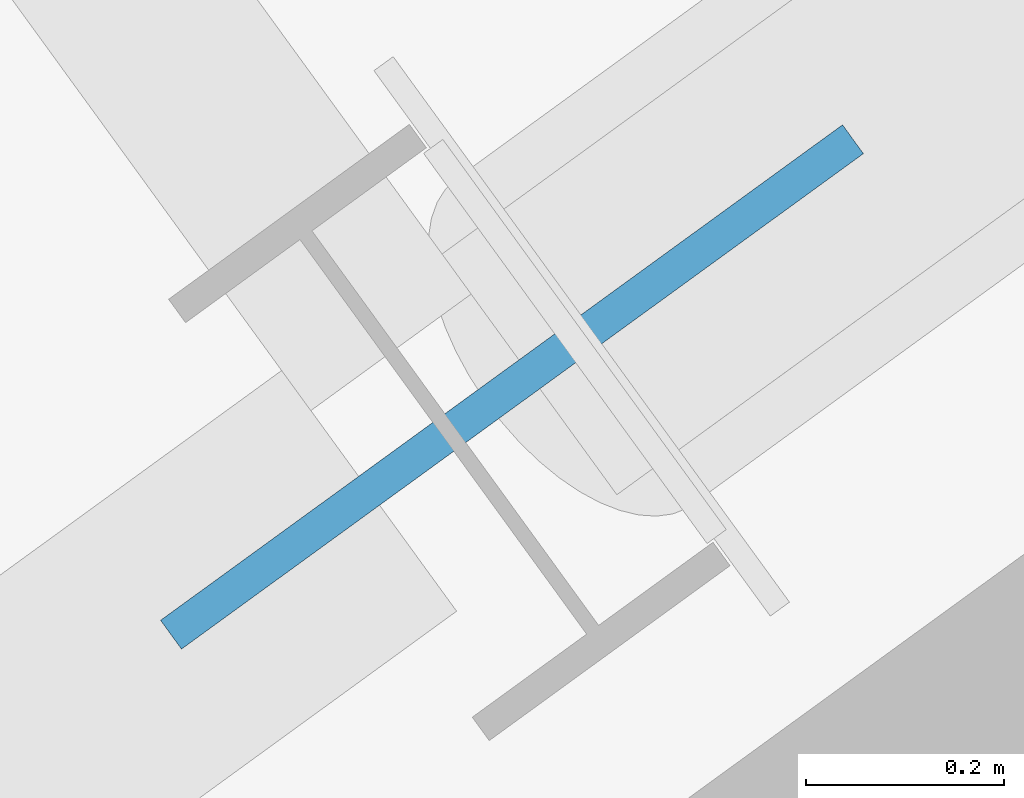
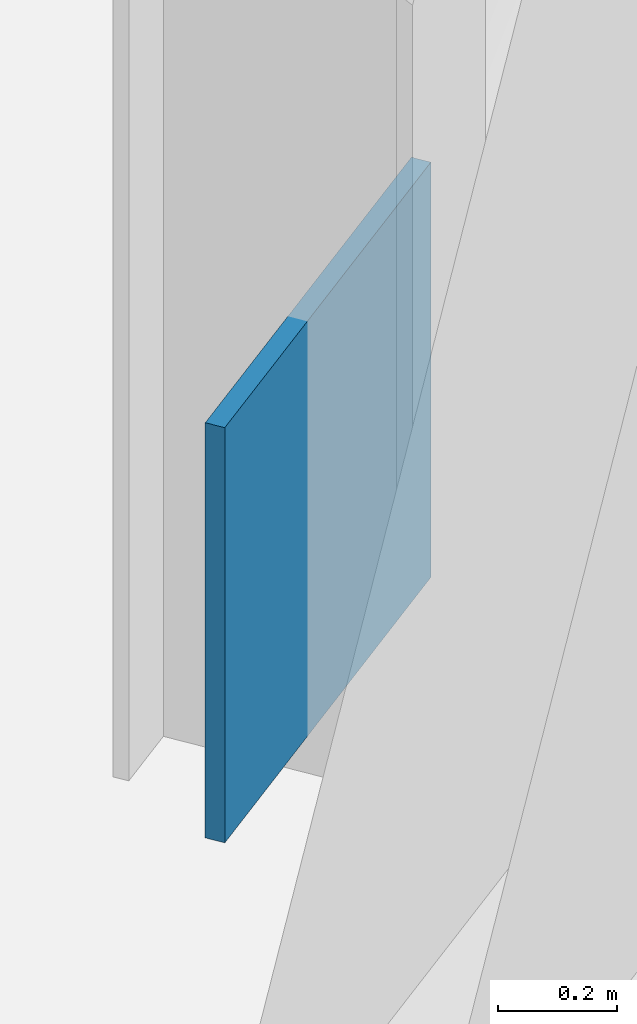
# One storey, part 15 of 30: 1 plate.
"""IFC4 building model written with IfcOpenShell, lengths in metres."""

from ifc_helpers import new_model, si_unit, direction, frame, origin, origin_2d, place, context, subcontext, project, spatial, rectangle, extrude, source, transform, mapped, material, layer, layer_set, type_object, element, save


model = new_model("IFC4")

# Units and contexts
model_context = context("Model", 3, precision=1e-05, world=origin(), true_north=direction((0.0, 1.0)))
body_context = subcontext(model_context, "Body", "Model", "MODEL_VIEW")
ifc_project = project(units=[si_unit("LENGTHUNIT", "METRE"), si_unit("AREAUNIT", "SQUARE_METRE"), si_unit("VOLUMEUNIT", "CUBIC_METRE"), si_unit("PLANEANGLEUNIT", "RADIAN"), si_unit("MASSUNIT", "GRAM", prefix="KILO")], contexts=[model_context])

# Site, building, storey
site_placement = place(None, origin())
site = spatial("IfcSite", under=ifc_project, at=site_placement, CompositionType="ELEMENT")
building_placement = place(site_placement, origin())
building = spatial("IfcBuilding", under=site, at=building_placement, Name="Tlacorven Tower", CompositionType="ELEMENT")
storey_placement = place(building_placement, frame((0.0, 0.0, 169.5)))
storey = spatial("IfcBuildingStorey", under=building, at=storey_placement, Name="L43", CompositionType="ELEMENT", Elevation=169.5)

# Plate
ifc_material = material(Name="Steel S460M", Category="steel")
ifc_layer = layer(ifc_material, 0.035888671875)
ifc_layer_set = layer_set([ifc_layer], Name="Steel S460M")
plate_type = type_object("IfcPlateType", Name="PL-NODE-BN1", PredefinedType="SHEET", material=ifc_layer_set)
shared_shape = source(origin(), body_context, "Body", "SweptSolid", [
    extrude(rectangle(XDim=0.85009765625, YDim=0.035888671875, at=origin_2d()), origin(), (0.0, 0.0, 1.0), 0.85009765625),
])
plate_placement = place(storey_placement, frame((66.12109375, 14.85693359375, 0.07421875), z_axis=(0.0, 0.0, 1.0), x_axis=(0.809016912294, 0.587785365267, 0.0)))
element("IfcPlate", 1, at=plate_placement, inside=storey, type_object=plate_type, Name="L43 structural node gusset plate BLT-L43-E1-D1", PredefinedType="SHEET", context=body_context, shape_type="MappedRepresentation", body=[
    mapped(shared_shape, transform((0.0, 0.0, 0.0), scale=1.0)),
])

save(model, "model.ifc")
